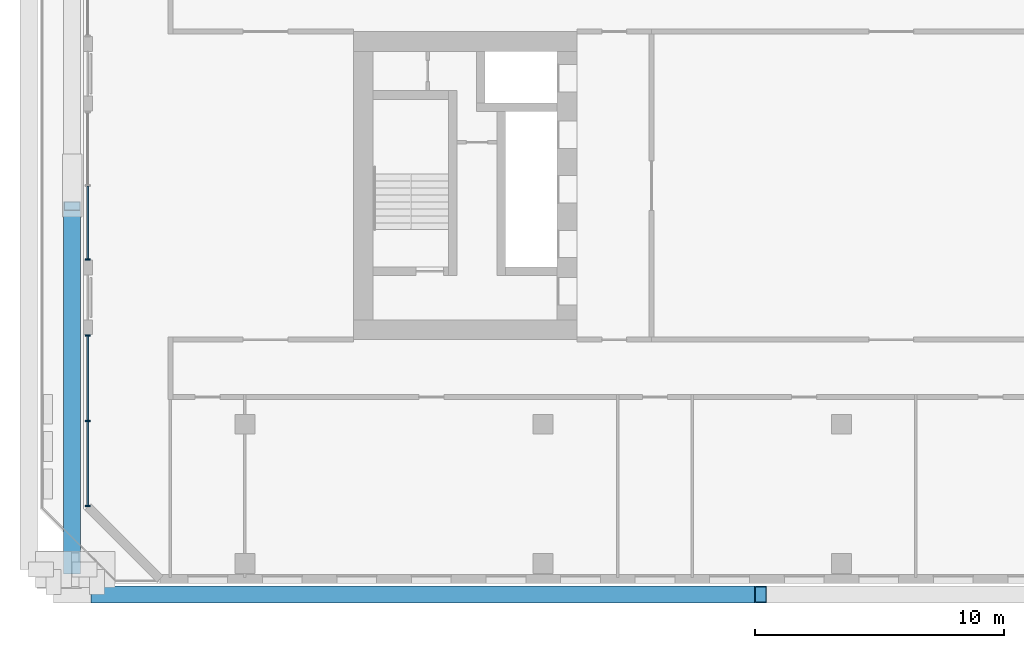
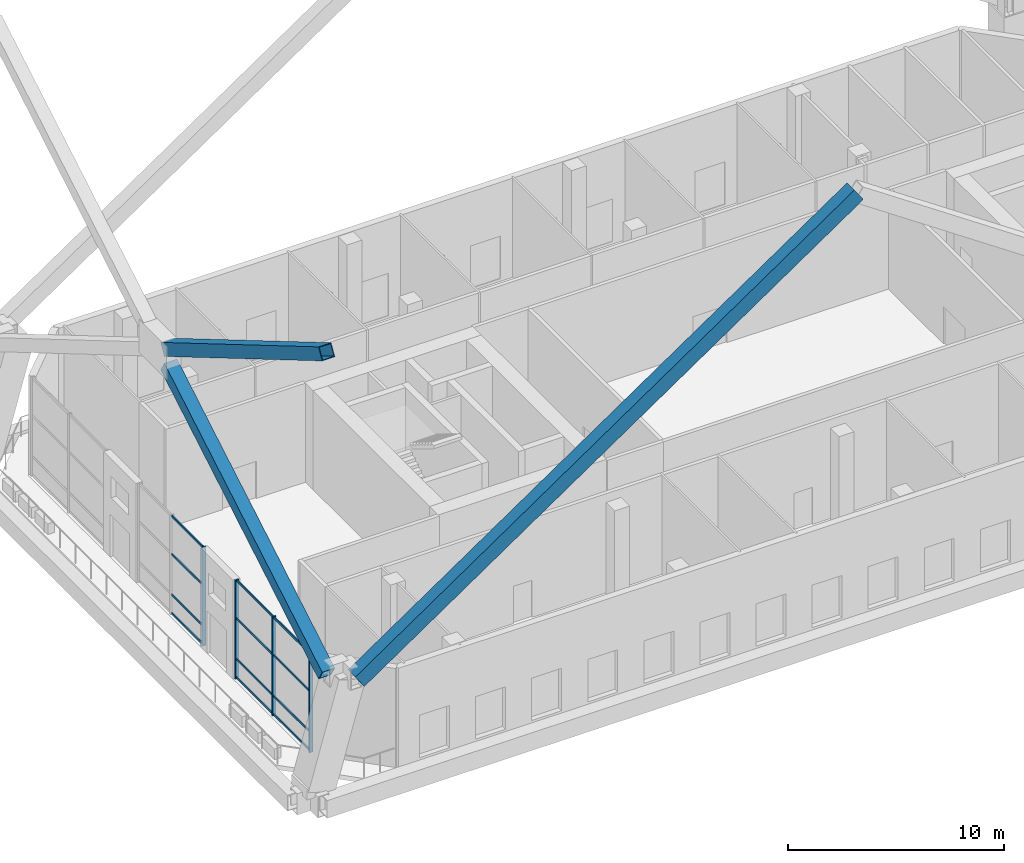
# One storey, part 2 of 20: 19 members, 2 elements without a shape of their own.
"""IFC4 building model written with IfcOpenShell, lengths in metres."""

from ifc_helpers import new_model, si_unit, direction, frame, origin, origin_2d, place, context, subcontext, project, spatial, rectangle, hollow_rectangle, extrude, material, material_profile, profile_set, type_object, element, aggregate, save


model = new_model("IFC4")

# Units and contexts
model_context = context("Model", 3, precision=1e-05, world=origin(), true_north=direction((0.0, 1.0)))
body_context = subcontext(model_context, "Body", "Model", "MODEL_VIEW")
ifc_project = project(units=[si_unit("LENGTHUNIT", "METRE"), si_unit("AREAUNIT", "SQUARE_METRE"), si_unit("VOLUMEUNIT", "CUBIC_METRE"), si_unit("PLANEANGLEUNIT", "RADIAN"), si_unit("MASSUNIT", "GRAM", prefix="KILO")], contexts=[model_context])

# Site, building, storey
site_placement = place(None, origin())
site = spatial("IfcSite", under=ifc_project, at=site_placement, CompositionType="ELEMENT")
building_placement = place(site_placement, origin())
building = spatial("IfcBuilding", under=site, at=building_placement, Name="Tuart Gate Housing", CompositionType="ELEMENT")
storey_placement = place(building_placement, frame((0.0, 0.0, 38.10009765625)))
storey = spatial("IfcBuildingStorey", under=building, at=storey_placement, Name="L10", CompositionType="ELEMENT", Elevation=38.10009765625)

# Members
ifc_material_1 = material(Name="Steel Grade 350", Category="steel")
ifc_material_profile_1 = material_profile(ifc_material_1, hollow_rectangle(XDim=0.679931640625, YDim=0.679931640625, WallThickness=0.033935546875, at=origin_2d()), Name="BOX 680x680x34")
ifc_profile_set_1 = profile_set([ifc_material_profile_1], Name="Steel Grade 350")
member_type_1 = type_object("IfcMemberType", Name="Mega brace BOX 680x680x34", PredefinedType="BRACE", material=ifc_profile_set_1)
for number, where, z_axis, x_axis, name in (
    (1, (21.050048828125, 54.550048828125, 6.199951171875), (0.0, 0.861644676374, 0.507512021214), (-1.0, 0.0, 0.0), "Mega brace A zone 2 west cross 1 a"),
    (2, (21.050048828125, 69.181396484375, 15.781982421875), (0.0, -0.861644676374, 0.507512021214), (1.0, 0.0, 0.0), "Mega brace A zone 2 west cross 2 b"),
):
    element("IfcMember", number, at=place(storey_placement, frame(where, z_axis=z_axis, x_axis=x_axis)), inside=storey, type_object=member_type_1, Name=name, PredefinedType="BRACE", context=body_context, shape_type="SweptSolid", body=[
        extrude(hollow_rectangle(XDim=0.679931640625, YDim=0.679931640625, WallThickness=0.033935546875, at=origin_2d()), origin(), (0.0, 0.0, 1.0), 16.980712890625),
    ])
ifc_material_2 = material(Name="Steel Grade 350", Category="steel")
ifc_material_profile_2 = material_profile(ifc_material_2, hollow_rectangle(XDim=0.679931640625, YDim=0.85009765625, WallThickness=0.0419921875, at=origin_2d()), Name="BOX 850x680x42")
ifc_profile_set_2 = profile_set([ifc_material_profile_2], Name="Steel Grade 350")
member_type_2 = type_object("IfcMemberType", Name="Mega brace BOX 850x680x42", PredefinedType="BRACE", material=ifc_profile_set_2)
member_1_placement = place(storey_placement, frame((22.050048828125, 53.550048828125, 6.199951171875), z_axis=(0.826293034943, 0.0, 0.563240464105), x_axis=(0.0, 1.0, 0.0)))
element("IfcMember", 3, at=member_1_placement, inside=storey, type_object=member_type_2, Name="Mega brace A zone 2 south chevron 1", PredefinedType="BRACE", context=body_context, shape_type="SweptSolid", body=[
    extrude(hollow_rectangle(XDim=0.679931640625, YDim=0.85009765625, WallThickness=0.0419921875, at=origin_2d()), origin(), (0.0, 0.0, 1.0), 32.31298828125),
])

# Curtain wall, member
ifc_material_3 = material(Name="Aluminium and clear glass", Category="aluminium")
curtain_wall_type = type_object("IfcCurtainWallType", Name="Sky garden front glazing", PredefinedType="USERDEFINED", material=ifc_material_3)
curtain_wall_1_placement = place(storey_placement, origin())
curtain_wall_1 = element("IfcCurtainWall", 4, at=curtain_wall_1_placement, inside=storey, type_object=curtain_wall_type, Name="Sky garden front glazing A-W L10", ObjectType="SKY GARDEN FRONT GLAZING", PredefinedType="USERDEFINED")
ifc_material_4 = material(Name="Anodised aluminium", Category="aluminium")
ifc_material_profile_3 = material_profile(ifc_material_4, rectangle(XDim=0.06005859375, YDim=0.199951171875, at=origin_2d()), Name="60x200")
ifc_profile_set_3 = profile_set([ifc_material_profile_3], Name="Anodised aluminium")
member_type_3 = type_object("IfcMemberType", Name="Mullion 60 x 200", PredefinedType="MULLION", material=ifc_profile_set_3)
member_2_placement = place(storey_placement, frame((21.679931640625, 67.030029296875, 0.0), z_axis=(0.0, 0.0, 1.0), x_axis=(0.0, -1.0, 0.0)))
member_2 = element("IfcMember", 5, at=member_2_placement, type_object=member_type_3, Name="CW4 mullion 3", PredefinedType="MULLION", context=body_context, shape_type="SweptSolid", body=[
    extrude(rectangle(XDim=0.06005859375, YDim=0.199951171875, at=origin_2d()), origin(), (0.0, 0.0, 1.0), 5.599853515625),
])

# Curtain wall, members
curtain_wall_2_placement = place(storey_placement, origin())
curtain_wall_2 = element("IfcCurtainWall", 6, at=curtain_wall_2_placement, inside=storey, type_object=curtain_wall_type, Name="Sky garden front glazing A-W L10", ObjectType="SKY GARDEN FRONT GLAZING", PredefinedType="USERDEFINED")
member_3_placement = place(storey_placement, frame((21.679931640625, 63.969970703125, 0.0), z_axis=(0.0, 0.0, 1.0), x_axis=(0.0, -1.0, 0.0)))
member_3 = element("IfcMember", 7, at=member_3_placement, type_object=member_type_3, Name="CW4 mullion 1", PredefinedType="MULLION", context=body_context, shape_type="SweptSolid", body=[
    extrude(rectangle(XDim=0.06005859375, YDim=0.199951171875, at=origin_2d()), origin(), (0.0, 0.0, 1.0), 5.599853515625),
])
member_4_placement = place(storey_placement, frame((21.679931640625, 60.537353515625, 0.0), z_axis=(0.0, 0.0, 1.0), x_axis=(0.0, -1.0, 0.0)))
member_4 = element("IfcMember", 8, at=member_4_placement, type_object=member_type_3, Name="CW4 mullion 2", PredefinedType="MULLION", context=body_context, shape_type="SweptSolid", body=[
    extrude(rectangle(XDim=0.06005859375, YDim=0.199951171875, at=origin_2d()), origin(), (0.0, 0.0, 1.0), 5.599853515625),
])
member_5_placement = place(storey_placement, frame((21.679931640625, 57.1044921875, 0.0), z_axis=(0.0, 0.0, 1.0), x_axis=(0.0, -1.0, 0.0)))
member_5 = element("IfcMember", 9, at=member_5_placement, type_object=member_type_3, Name="CW4 mullion 3", PredefinedType="MULLION", context=body_context, shape_type="SweptSolid", body=[
    extrude(rectangle(XDim=0.06005859375, YDim=0.199951171875, at=origin_2d()), origin(), (0.0, 0.0, 1.0), 5.599853515625),
])

# Member
ifc_material_5 = material(Name="Anodised aluminium", Category="aluminium")
ifc_material_profile_4 = material_profile(ifc_material_5, rectangle(XDim=0.06005859375, YDim=0.1201171875, at=origin_2d()), Name="60x120")
ifc_profile_set_4 = profile_set([ifc_material_profile_4], Name="Anodised aluminium")
member_type_4 = type_object("IfcMemberType", Name="Transom 60 x 120", PredefinedType="USERDEFINED", material=ifc_profile_set_4)
member_6_placement = place(storey_placement, frame((21.679931640625, 69.969970703125, 0.059814453125), z_axis=(0.0, -1.0, 0.0), x_axis=(1.0, 0.0, 0.0)))
member_6 = element("IfcMember", 10, at=member_6_placement, type_object=member_type_4, Name="CW4 transom 2.1", ObjectType="TRANSOM", PredefinedType="USERDEFINED", context=body_context, shape_type="SweptSolid", body=[
    extrude(rectangle(XDim=0.06005859375, YDim=0.1201171875, at=origin_2d()), origin(), (0.0, 0.0, 1.0), 2.909912109375),
])

member_7_placement = place(storey_placement, frame((21.679931640625, 69.969970703125, 1.099853515625), z_axis=(0.0, -1.0, 0.0), x_axis=(1.0, 0.0, 0.0)))
member_7 = element("IfcMember", 11, at=member_7_placement, type_object=member_type_4, Name="CW4 transom 2.2", ObjectType="TRANSOM", PredefinedType="USERDEFINED", context=body_context, shape_type="SweptSolid", body=[
    extrude(rectangle(XDim=0.06005859375, YDim=0.1201171875, at=origin_2d()), origin(), (0.0, 0.0, 1.0), 2.909912109375),
])

member_8_placement = place(storey_placement, frame((21.679931640625, 69.969970703125, 3.39990234375), z_axis=(0.0, -1.0, 0.0), x_axis=(1.0, 0.0, 0.0)))
member_8 = element("IfcMember", 12, at=member_8_placement, type_object=member_type_4, Name="CW4 transom 2.3", ObjectType="TRANSOM", PredefinedType="USERDEFINED", context=body_context, shape_type="SweptSolid", body=[
    extrude(rectangle(XDim=0.06005859375, YDim=0.1201171875, at=origin_2d()), origin(), (0.0, 0.0, 1.0), 2.909912109375),
])

member_9_placement = place(storey_placement, frame((21.679931640625, 69.969970703125, 5.539794921875), z_axis=(0.0, -1.0, 0.0), x_axis=(1.0, 0.0, 0.0)))
member_9 = element("IfcMember", 13, at=member_9_placement, type_object=member_type_4, Name="CW4 transom 2.4", ObjectType="TRANSOM", PredefinedType="USERDEFINED", context=body_context, shape_type="SweptSolid", body=[
    extrude(rectangle(XDim=0.06005859375, YDim=0.1201171875, at=origin_2d()), origin(), (0.0, 0.0, 1.0), 2.909912109375),
])

aggregate(curtain_wall_1, [member_2, member_6, member_7, member_8, member_9])

member_10_placement = place(storey_placement, frame((21.679931640625, 63.93994140625, 0.059814453125), z_axis=(0.0, -1.0, 0.0), x_axis=(1.0, 0.0, 0.0)))
member_10 = element("IfcMember", 14, at=member_10_placement, type_object=member_type_4, Name="CW4 transom 1.1", ObjectType="TRANSOM", PredefinedType="USERDEFINED", context=body_context, shape_type="SweptSolid", body=[
    extrude(rectangle(XDim=0.06005859375, YDim=0.1201171875, at=origin_2d()), origin(), (0.0, 0.0, 1.0), 3.372802734375),
])

member_11_placement = place(storey_placement, frame((21.679931640625, 63.93994140625, 1.099853515625), z_axis=(0.0, -1.0, 0.0), x_axis=(1.0, 0.0, 0.0)))
member_11 = element("IfcMember", 15, at=member_11_placement, type_object=member_type_4, Name="CW4 transom 1.2", ObjectType="TRANSOM", PredefinedType="USERDEFINED", context=body_context, shape_type="SweptSolid", body=[
    extrude(rectangle(XDim=0.06005859375, YDim=0.1201171875, at=origin_2d()), origin(), (0.0, 0.0, 1.0), 3.372802734375),
])

member_12_placement = place(storey_placement, frame((21.679931640625, 63.93994140625, 3.39990234375), z_axis=(0.0, -1.0, 0.0), x_axis=(1.0, 0.0, 0.0)))
member_12 = element("IfcMember", 16, at=member_12_placement, type_object=member_type_4, Name="CW4 transom 1.3", ObjectType="TRANSOM", PredefinedType="USERDEFINED", context=body_context, shape_type="SweptSolid", body=[
    extrude(rectangle(XDim=0.06005859375, YDim=0.1201171875, at=origin_2d()), origin(), (0.0, 0.0, 1.0), 3.372802734375),
])

member_13_placement = place(storey_placement, frame((21.679931640625, 63.93994140625, 5.539794921875), z_axis=(0.0, -1.0, 0.0), x_axis=(1.0, 0.0, 0.0)))
member_13 = element("IfcMember", 17, at=member_13_placement, type_object=member_type_4, Name="CW4 transom 1.4", ObjectType="TRANSOM", PredefinedType="USERDEFINED", context=body_context, shape_type="SweptSolid", body=[
    extrude(rectangle(XDim=0.06005859375, YDim=0.1201171875, at=origin_2d()), origin(), (0.0, 0.0, 1.0), 3.372802734375),
])

member_14_placement = place(storey_placement, frame((21.679931640625, 60.50732421875, 0.059814453125), z_axis=(0.0, -1.0, 0.0), x_axis=(1.0, 0.0, 0.0)))
member_14 = element("IfcMember", 18, at=member_14_placement, type_object=member_type_4, Name="CW4 transom 2.1", ObjectType="TRANSOM", PredefinedType="USERDEFINED", context=body_context, shape_type="SweptSolid", body=[
    extrude(rectangle(XDim=0.06005859375, YDim=0.1201171875, at=origin_2d()), origin(), (0.0, 0.0, 1.0), 3.372802734375),
])

member_15_placement = place(storey_placement, frame((21.679931640625, 60.50732421875, 1.099853515625), z_axis=(0.0, -1.0, 0.0), x_axis=(1.0, 0.0, 0.0)))
member_15 = element("IfcMember", 19, at=member_15_placement, type_object=member_type_4, Name="CW4 transom 2.2", ObjectType="TRANSOM", PredefinedType="USERDEFINED", context=body_context, shape_type="SweptSolid", body=[
    extrude(rectangle(XDim=0.06005859375, YDim=0.1201171875, at=origin_2d()), origin(), (0.0, 0.0, 1.0), 3.372802734375),
])

member_16_placement = place(storey_placement, frame((21.679931640625, 60.50732421875, 3.39990234375), z_axis=(0.0, -1.0, 0.0), x_axis=(1.0, 0.0, 0.0)))
member_16 = element("IfcMember", 20, at=member_16_placement, type_object=member_type_4, Name="CW4 transom 2.3", ObjectType="TRANSOM", PredefinedType="USERDEFINED", context=body_context, shape_type="SweptSolid", body=[
    extrude(rectangle(XDim=0.06005859375, YDim=0.1201171875, at=origin_2d()), origin(), (0.0, 0.0, 1.0), 3.372802734375),
])

member_17_placement = place(storey_placement, frame((21.679931640625, 60.50732421875, 5.539794921875), z_axis=(0.0, -1.0, 0.0), x_axis=(1.0, 0.0, 0.0)))
member_17 = element("IfcMember", 21, at=member_17_placement, type_object=member_type_4, Name="CW4 transom 2.4", ObjectType="TRANSOM", PredefinedType="USERDEFINED", context=body_context, shape_type="SweptSolid", body=[
    extrude(rectangle(XDim=0.06005859375, YDim=0.1201171875, at=origin_2d()), origin(), (0.0, 0.0, 1.0), 3.372802734375),
])

aggregate(curtain_wall_2, [member_3, member_4, member_5, member_10, member_11, member_12, member_13, member_14, member_15, member_16, member_17])

save(model, "model.ifc")
